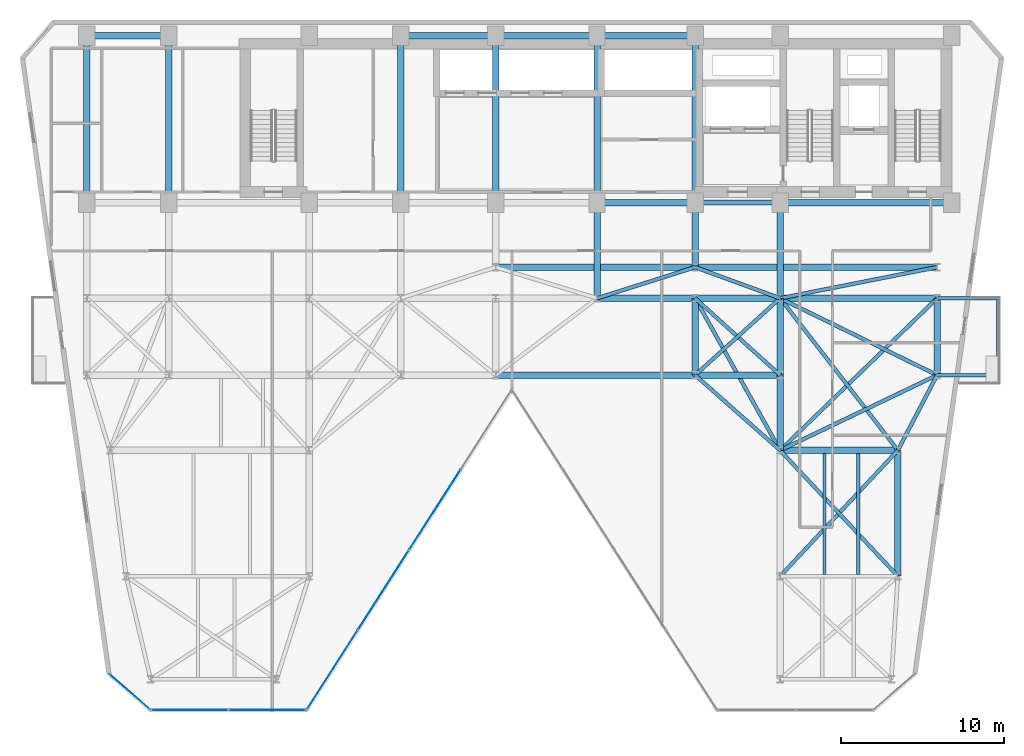
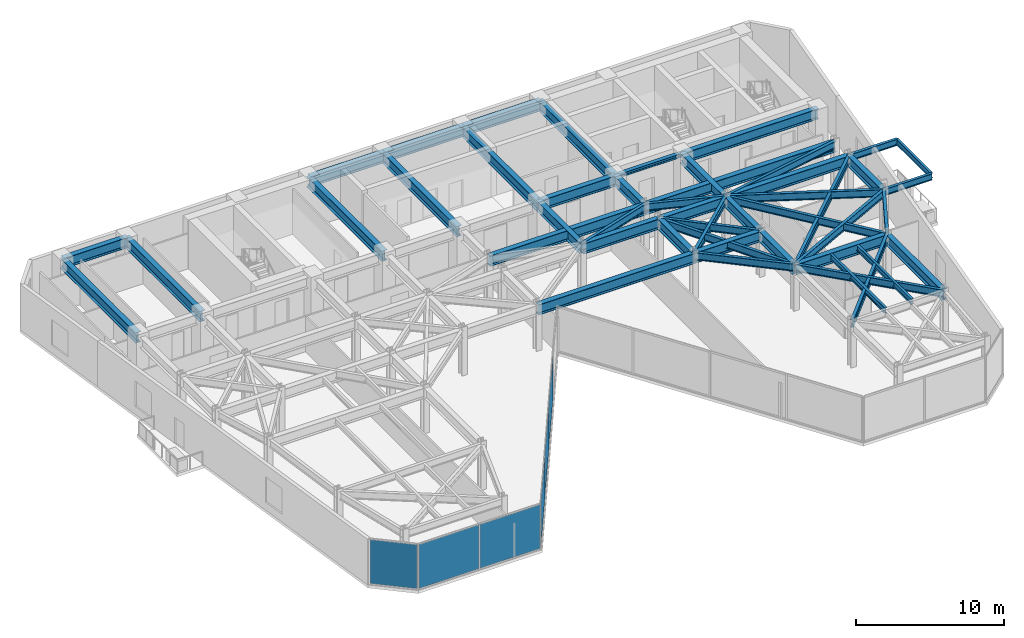
# One storey, part 14 of 20: 48 beams, 6 plates, 3 elements without a shape of their own.
"""IFC4 building model written with IfcOpenShell, lengths in metres."""

from ifc_helpers import new_model, si_unit, direction, frame, origin, origin_2d, place, context, subcontext, project, spatial, rectangle, i_section, extrude, material, layer, layer_set, material_profile, profile_set, type_object, element, aggregate, save


model = new_model("IFC4")

# Units and contexts
model_context = context("Model", 3, precision=1e-05, world=origin(), true_north=direction((0.0, 1.0)))
body_context = subcontext(model_context, "Body", "Model", "MODEL_VIEW")
ifc_project = project(units=[si_unit("LENGTHUNIT", "METRE"), si_unit("AREAUNIT", "SQUARE_METRE"), si_unit("VOLUMEUNIT", "CUBIC_METRE"), si_unit("PLANEANGLEUNIT", "RADIAN"), si_unit("MASSUNIT", "GRAM", prefix="KILO")], contexts=[model_context])

# Site, building, storey
site_placement = place(None, origin())
site = spatial("IfcSite", under=ifc_project, at=site_placement, CompositionType="ELEMENT")
building_placement = place(site_placement, origin())
building = spatial("IfcBuilding", under=site, at=building_placement, Name="Kravanh Interchange Tower", CompositionType="ELEMENT")
storey_placement = place(building_placement, frame((0.0, 0.0, 104.0)))
storey = spatial("IfcBuildingStorey", under=building, at=storey_placement, Name="L24", CompositionType="ELEMENT", Elevation=104.0)

# Beams
ifc_material_1 = material(Name="Structural Steel S355", Category="steel")
ifc_material_profile_1 = material_profile(ifc_material_1, i_section(OverallWidth=0.39990234375, OverallDepth=0.85595703125, WebThickness=0.018310546875, FlangeThickness=0.029296875, FilletRadius=0.02490234375, at=origin_2d()), Name="W33X201")
ifc_profile_set_1 = profile_set([ifc_material_profile_1], Name="Structural Steel S355")
beam_type_1 = type_object("IfcBeamType", Name="Floor Beam W33X201 Structural Steel S355", PredefinedType="BEAM", material=ifc_profile_set_1)
beam_1_placement = place(storey_placement, frame((66.5, 37.35009765625, 3.322021484375), z_axis=(-1.0, 0.0, 0.0), x_axis=(0.0, -1.0, 0.0)))
element("IfcBeam", 1, at=beam_1_placement, inside=storey, type_object=beam_type_1, Name="L24 Primary Floor Girder 5", PredefinedType="BEAM", context=body_context, shape_type="SweptSolid", body=[
    extrude(i_section(OverallWidth=0.39990234375, OverallDepth=0.85595703125, WebThickness=0.018310546875, FlangeThickness=0.029296875, FilletRadius=0.02490234375, at=origin_2d()), origin(), (0.0, 0.0, 1.0), 10.5),
])
beam_2_placement = place(storey_placement, frame((56.0, 37.35009765625, 3.322021484375), z_axis=(0.0, -1.0, 0.0), x_axis=(1.0, 0.0, 0.0)))
element("IfcBeam", 2, at=beam_2_placement, inside=storey, type_object=beam_type_1, Name="L24 Primary Floor Girder 7", PredefinedType="BEAM", context=body_context, shape_type="SweptSolid", body=[
    extrude(i_section(OverallWidth=0.39990234375, OverallDepth=0.85595703125, WebThickness=0.018310546875, FlangeThickness=0.029296875, FilletRadius=0.02490234375, at=origin_2d()), origin(), (0.0, 0.0, 1.0), 5.85009765625),
])
beam_3_placement = place(storey_placement, frame((50.800048828125, 47.550048828125, 3.322021484375), z_axis=(-1.0, 0.0, 0.0), x_axis=(0.0, -1.0, 0.0)))
element("IfcBeam", 3, at=beam_3_placement, inside=storey, type_object=beam_type_1, Name="L24 Primary Floor Girder 8", PredefinedType="BEAM", context=body_context, shape_type="SweptSolid", body=[
    extrude(i_section(OverallWidth=0.39990234375, OverallDepth=0.85595703125, WebThickness=0.018310546875, FlangeThickness=0.029296875, FilletRadius=0.02490234375, at=origin_2d()), origin(), (0.0, 0.0, 1.0), 6.0),
])
beam_4_placement = place(storey_placement, frame((50.800048828125, 47.550048828125, 3.322021484375), z_axis=(0.0, -1.0, 0.0), x_axis=(1.0, 0.0, 0.0)))
element("IfcBeam", 4, at=beam_4_placement, inside=storey, type_object=beam_type_1, Name="L24 Primary Floor Girder 9", PredefinedType="BEAM", context=body_context, shape_type="SweptSolid", body=[
    extrude(i_section(OverallWidth=0.39990234375, OverallDepth=0.85595703125, WebThickness=0.018310546875, FlangeThickness=0.029296875, FilletRadius=0.02490234375, at=origin_2d()), origin(), (0.0, 0.0, 1.0), 10.199951171875),
])
beam_5_placement = place(storey_placement, frame((50.800048828125, 37.35009765625, 3.322021484375), z_axis=(0.0, -1.0, 0.0), x_axis=(1.0, 0.0, 0.0)))
element("IfcBeam", 5, at=beam_5_placement, inside=storey, type_object=beam_type_1, Name="L24 Primary Floor Girder 10", PredefinedType="BEAM", context=body_context, shape_type="SweptSolid", body=[
    extrude(i_section(OverallWidth=0.39990234375, OverallDepth=0.85595703125, WebThickness=0.018310546875, FlangeThickness=0.029296875, FilletRadius=0.02490234375, at=origin_2d()), origin(), (0.0, 0.0, 1.0), 3.9501953125),
])
beam_6_placement = place(storey_placement, frame((50.800048828125, 37.35009765625, 3.322021484375), z_axis=(-1.0, 0.0, 0.0), x_axis=(0.0, -1.0, 0.0)))
element("IfcBeam", 6, at=beam_6_placement, inside=storey, type_object=beam_type_1, Name="L24 Primary Floor Girder 11", PredefinedType="BEAM", context=body_context, shape_type="SweptSolid", body=[
    extrude(i_section(OverallWidth=0.39990234375, OverallDepth=0.85595703125, WebThickness=0.018310546875, FlangeThickness=0.029296875, FilletRadius=0.02490234375, at=origin_2d()), origin(), (0.0, 0.0, 1.0), 6.0),
])
beam_7_placement = place(storey_placement, frame((44.800048828125, 37.35009765625, 3.322021484375), z_axis=(0.0, -1.0, 0.0), x_axis=(1.0, 0.0, 0.0)))
element("IfcBeam", 7, at=beam_7_placement, inside=storey, type_object=beam_type_1, Name="L24 Primary Floor Girder 12", PredefinedType="BEAM", context=body_context, shape_type="SweptSolid", body=[
    extrude(i_section(OverallWidth=0.39990234375, OverallDepth=0.85595703125, WebThickness=0.018310546875, FlangeThickness=0.029296875, FilletRadius=0.02490234375, at=origin_2d()), origin(), (0.0, 0.0, 1.0), 5.85009765625),
])
beam_8_placement = place(storey_placement, frame((44.800048828125, 37.35009765625, 3.322021484375), z_axis=(0.0, 1.0, 0.0), x_axis=(-1.0, 0.0, 0.0)))
element("IfcBeam", 8, at=beam_8_placement, inside=storey, type_object=beam_type_1, Name="L24 Primary Floor Girder 14", PredefinedType="BEAM", context=body_context, shape_type="SweptSolid", body=[
    extrude(i_section(OverallWidth=0.39990234375, OverallDepth=0.85595703125, WebThickness=0.018310546875, FlangeThickness=0.029296875, FilletRadius=0.02490234375, at=origin_2d()), origin(), (0.0, 0.0, 1.0), 10.199951171875),
])
beam_9_placement = place(storey_placement, frame((44.800048828125, 47.550048828125, 3.322021484375), z_axis=(-1.0, 0.0, 0.0), x_axis=(0.0, -1.0, 0.0)))
element("IfcBeam", 9, at=beam_9_placement, inside=storey, type_object=beam_type_1, Name="L24 Primary Floor Girder 15", PredefinedType="BEAM", context=body_context, shape_type="SweptSolid", body=[
    extrude(i_section(OverallWidth=0.39990234375, OverallDepth=0.85595703125, WebThickness=0.018310546875, FlangeThickness=0.029296875, FilletRadius=0.02490234375, at=origin_2d()), origin(), (0.0, 0.0, 1.0), 6.199951171875),
])
beam_10_placement = place(storey_placement, frame((38.60009765625, 37.35009765625, 3.322021484375), z_axis=(0.0, 1.0, 0.0), x_axis=(-1.0, 0.0, 0.0)))
element("IfcBeam", 10, at=beam_10_placement, inside=storey, type_object=beam_type_1, Name="L24 Primary Floor Girder 18", PredefinedType="BEAM", context=body_context, shape_type="SweptSolid", body=[
    extrude(i_section(OverallWidth=0.39990234375, OverallDepth=0.85595703125, WebThickness=0.018310546875, FlangeThickness=0.029296875, FilletRadius=0.02490234375, at=origin_2d()), origin(), (0.0, 0.0, 1.0), 10.199951171875),
])
beam_11_placement = place(storey_placement, frame((38.60009765625, 47.550048828125, 3.322021484375), z_axis=(-1.0, 0.0, 0.0), x_axis=(0.0, -1.0, 0.0)))
element("IfcBeam", 11, at=beam_11_placement, inside=storey, type_object=beam_type_1, Name="L24 Primary Floor Girder 19", PredefinedType="BEAM", context=body_context, shape_type="SweptSolid", body=[
    extrude(i_section(OverallWidth=0.39990234375, OverallDepth=0.85595703125, WebThickness=0.018310546875, FlangeThickness=0.029296875, FilletRadius=0.02490234375, at=origin_2d()), origin(), (0.0, 0.0, 1.0), 5.800048828125),
])
for number, where, z_axis, x_axis, name in (
    (12, (32.800048828125, 37.35009765625, 3.322021484375), (0.0, 1.0, 0.0), (-1.0, 0.0, 0.0), "L24 Primary Floor Girder 22"),
    (13, (18.60009765625, 37.35009765625, 3.322021484375), (0.0, 1.0, 0.0), (-1.0, 0.0, 0.0), "L24 Primary Floor Girder 30"),
):
    element("IfcBeam", number, at=place(storey_placement, frame(where, z_axis=z_axis, x_axis=x_axis)), inside=storey, type_object=beam_type_1, Name=name, PredefinedType="BEAM", context=body_context, shape_type="SweptSolid", body=[
        extrude(i_section(OverallWidth=0.39990234375, OverallDepth=0.85595703125, WebThickness=0.018310546875, FlangeThickness=0.029296875, FilletRadius=0.02490234375, at=origin_2d()), origin(), (0.0, 0.0, 1.0), 10.199951171875),
    ])
beam_12_placement = place(storey_placement, frame((18.60009765625, 47.550048828125, 3.322021484375), z_axis=(-1.0, 0.0, 0.0), x_axis=(0.0, -1.0, 0.0)))
element("IfcBeam", 14, at=beam_12_placement, inside=storey, type_object=beam_type_1, Name="L24 Primary Floor Girder 31", PredefinedType="BEAM", context=body_context, shape_type="SweptSolid", body=[
    extrude(i_section(OverallWidth=0.39990234375, OverallDepth=0.85595703125, WebThickness=0.018310546875, FlangeThickness=0.029296875, FilletRadius=0.02490234375, at=origin_2d()), origin(), (0.0, 0.0, 1.0), 5.0),
])
beam_13_placement = place(storey_placement, frame((13.60009765625, 37.35009765625, 3.322021484375), z_axis=(0.0, 1.0, 0.0), x_axis=(-1.0, 0.0, 0.0)))
element("IfcBeam", 15, at=beam_13_placement, inside=storey, type_object=beam_type_1, Name="L24 Primary Floor Girder 33", PredefinedType="BEAM", context=body_context, shape_type="SweptSolid", body=[
    extrude(i_section(OverallWidth=0.39990234375, OverallDepth=0.85595703125, WebThickness=0.018310546875, FlangeThickness=0.029296875, FilletRadius=0.02490234375, at=origin_2d()), origin(), (0.0, 0.0, 1.0), 10.199951171875),
])
beam_14_placement = place(storey_placement, frame((38.60009765625, 26.800048828125, 3.322021484375), z_axis=(1.0, 0.0, 0.0), x_axis=(0.0, 1.0, 0.0)))
element("IfcBeam", 16, at=beam_14_placement, inside=storey, type_object=beam_type_1, Name="L24 Primary Floor Girder 56", PredefinedType="BEAM", context=body_context, shape_type="SweptSolid", body=[
    extrude(i_section(OverallWidth=0.39990234375, OverallDepth=0.85595703125, WebThickness=0.018310546875, FlangeThickness=0.029296875, FilletRadius=0.02490234375, at=origin_2d()), origin(), (0.0, 0.0, 1.0), 12.199951171875),
])
beam_15_placement = place(storey_placement, frame((50.800048828125, 26.800048828125, 3.322021484375), z_axis=(0.0, 1.0, 0.0), x_axis=(-1.0, 0.0, 0.0)))
element("IfcBeam", 17, at=beam_15_placement, inside=storey, type_object=beam_type_1, Name="L24 Primary Floor Girder 57", PredefinedType="BEAM", context=body_context, shape_type="SweptSolid", body=[
    extrude(i_section(OverallWidth=0.39990234375, OverallDepth=0.85595703125, WebThickness=0.018310546875, FlangeThickness=0.029296875, FilletRadius=0.02490234375, at=origin_2d()), origin(), (0.0, 0.0, 1.0), 4.699951171875),
])
beam_16_placement = place(storey_placement, frame((50.800048828125, 26.800048828125, 3.322021484375), z_axis=(1.0, 0.0, 0.0), x_axis=(0.0, 1.0, 0.0)))
element("IfcBeam", 18, at=beam_16_placement, inside=storey, type_object=beam_type_1, Name="L24 Primary Floor Girder 58", PredefinedType="BEAM", context=body_context, shape_type="SweptSolid", body=[
    extrude(i_section(OverallWidth=0.39990234375, OverallDepth=0.85595703125, WebThickness=0.018310546875, FlangeThickness=0.029296875, FilletRadius=0.02490234375, at=origin_2d()), origin(), (0.0, 0.0, 1.0), 5.199951171875),
])
beam_17_placement = place(storey_placement, frame((56.0, 26.800048828125, 3.322021484375), z_axis=(0.0, -1.0, 0.0), x_axis=(1.0, 0.0, 0.0)))
element("IfcBeam", 19, at=beam_17_placement, inside=storey, type_object=beam_type_1, Name="L24 Primary Floor Girder 61", PredefinedType="BEAM", context=body_context, shape_type="SweptSolid", body=[
    extrude(i_section(OverallWidth=0.39990234375, OverallDepth=0.85595703125, WebThickness=0.018310546875, FlangeThickness=0.029296875, FilletRadius=0.02490234375, at=origin_2d()), origin(), (0.0, 0.0, 1.0), 4.60009765625),
])
for number, where, z_axis, x_axis, name in (
    (20, (56.0, 26.800048828125, 3.322021484375), (0.0, 1.0, 0.0), (-1.0, 0.0, 0.0), "L24 Primary Floor Girder 62"),
    (21, (65.60009765625, 26.800048828125, 3.322021484375), (0.0, 1.0, 0.0), (-1.0, 0.0, 0.0), "L24 Primary Floor Girder 65"),
):
    element("IfcBeam", number, at=place(storey_placement, frame(where, z_axis=z_axis, x_axis=x_axis)), inside=storey, type_object=beam_type_1, Name=name, PredefinedType="BEAM", context=body_context, shape_type="SweptSolid", body=[
        extrude(i_section(OverallWidth=0.39990234375, OverallDepth=0.85595703125, WebThickness=0.018310546875, FlangeThickness=0.029296875, FilletRadius=0.02490234375, at=origin_2d()), origin(), (0.0, 0.0, 1.0), 4.699951171875),
    ])
beam_18_placement = place(storey_placement, frame((44.800048828125, 31.5, 3.322021484375), z_axis=(1.0, 0.0, 0.0), x_axis=(0.0, 1.0, 0.0)))
element("IfcBeam", 22, at=beam_18_placement, inside=storey, type_object=beam_type_1, Name="L24 Primary Floor Girder 83", PredefinedType="BEAM", context=body_context, shape_type="SweptSolid", body=[
    extrude(i_section(OverallWidth=0.39990234375, OverallDepth=0.85595703125, WebThickness=0.018310546875, FlangeThickness=0.029296875, FilletRadius=0.02490234375, at=origin_2d()), origin(), (0.0, 0.0, 1.0), 6.0),
])
beam_19_placement = place(storey_placement, frame((50.800048828125, 31.5, 3.322021484375), z_axis=(1.0, 0.0, 0.0), x_axis=(0.0, 1.0, 0.0)))
element("IfcBeam", 23, at=beam_19_placement, inside=storey, type_object=beam_type_1, Name="L24 Primary Floor Girder 86", PredefinedType="BEAM", context=body_context, shape_type="SweptSolid", body=[
    extrude(i_section(OverallWidth=0.39990234375, OverallDepth=0.85595703125, WebThickness=0.018310546875, FlangeThickness=0.029296875, FilletRadius=0.02490234375, at=origin_2d()), origin(), (0.0, 0.0, 1.0), 5.199951171875),
])
beam_20_placement = place(storey_placement, frame((56.0, 31.5, 3.322021484375), z_axis=(1.0, 0.0, 0.0), x_axis=(0.0, 1.0, 0.0)))
element("IfcBeam", 24, at=beam_20_placement, inside=storey, type_object=beam_type_1, Name="L24 Primary Floor Girder 90", PredefinedType="BEAM", context=body_context, shape_type="SweptSolid", body=[
    extrude(i_section(OverallWidth=0.39990234375, OverallDepth=0.85595703125, WebThickness=0.018310546875, FlangeThickness=0.029296875, FilletRadius=0.02490234375, at=origin_2d()), origin(), (0.0, 0.0, 1.0), 9.60009765625),
])
beam_21_placement = place(storey_placement, frame((63.199951171875, 14.5, 3.322021484375), z_axis=(0.0, 1.0, 0.0), x_axis=(-1.0, 0.0, 0.0)))
element("IfcBeam", 25, at=beam_21_placement, inside=storey, type_object=beam_type_1, Name="L24 Primary Floor Girder 106", PredefinedType="BEAM", context=body_context, shape_type="SweptSolid", body=[
    extrude(i_section(OverallWidth=0.39990234375, OverallDepth=0.85595703125, WebThickness=0.018310546875, FlangeThickness=0.029296875, FilletRadius=0.02490234375, at=origin_2d()), origin(), (0.0, 0.0, 1.0), 7.699951171875),
])
beam_22_placement = place(storey_placement, frame((56.0, 22.199951171875, 3.322021484375), z_axis=(1.0, 0.0, 0.0), x_axis=(0.0, 1.0, 0.0)))
element("IfcBeam", 26, at=beam_22_placement, inside=storey, type_object=beam_type_1, Name="L24 Primary Floor Girder 109", PredefinedType="BEAM", context=body_context, shape_type="SweptSolid", body=[
    extrude(i_section(OverallWidth=0.39990234375, OverallDepth=0.85595703125, WebThickness=0.018310546875, FlangeThickness=0.029296875, FilletRadius=0.02490234375, at=origin_2d()), origin(), (0.0, 0.0, 1.0), 7.199951171875),
])
beam_23_placement = place(storey_placement, frame((38.60009765625, 33.39990234375, 3.322021484375), z_axis=(1.0, 0.0, 0.0), x_axis=(0.0, 1.0, 0.0)))
element("IfcBeam", 27, at=beam_23_placement, inside=storey, type_object=beam_type_1, Name="L24 Primary Floor Girder 111", PredefinedType="BEAM", context=body_context, shape_type="SweptSolid", body=[
    extrude(i_section(OverallWidth=0.39990234375, OverallDepth=0.85595703125, WebThickness=0.018310546875, FlangeThickness=0.029296875, FilletRadius=0.02490234375, at=origin_2d()), origin(), (0.0, 0.0, 1.0), 12.199951171875),
])
beam_24_placement = place(storey_placement, frame((50.800048828125, 33.39990234375, 3.322021484375), z_axis=(1.0, 0.0, 0.0), x_axis=(0.0, 1.0, 0.0)))
element("IfcBeam", 28, at=beam_24_placement, inside=storey, type_object=beam_type_1, Name="L24 Primary Floor Girder 112", PredefinedType="BEAM", context=body_context, shape_type="SweptSolid", body=[
    extrude(i_section(OverallWidth=0.39990234375, OverallDepth=0.85595703125, WebThickness=0.018310546875, FlangeThickness=0.029296875, FilletRadius=0.02490234375, at=origin_2d()), origin(), (0.0, 0.0, 1.0), 14.800048828125),
])
ifc_material_2 = material(Name="Structural Steel S355", Category="steel")
ifc_material_profile_2 = material_profile(ifc_material_2, i_section(OverallWidth=0.18994140625, OverallDepth=0.45703125, WebThickness=0.009033203125, FlangeThickness=0.014404296875, FilletRadius=0.01806640625, at=origin_2d()), Name="W18X50")
ifc_profile_set_2 = profile_set([ifc_material_profile_2], Name="Structural Steel S355")
beam_type_2 = type_object("IfcBeamType", Name="Floor Joist W18X50 Structural Steel S355", PredefinedType="JOIST", material=ifc_profile_set_2)
for number, where, z_axis, x_axis, name in (
    (29, (58.715087890625, 14.60888671875, 3.521484375), (0.0, 1.0, 0.0), (-1.0, 0.0, 0.0), "L24 Secondary Floor Joist 7"),
    (30, (60.780029296875, 14.60888671875, 3.521484375), (0.0, 1.0, 0.0), (-1.0, 0.0, 0.0), "L24 Secondary Floor Joist 8"),
):
    element("IfcBeam", number, at=place(storey_placement, frame(where, z_axis=z_axis, x_axis=x_axis)), inside=storey, type_object=beam_type_2, Name=name, PredefinedType="JOIST", context=body_context, shape_type="SweptSolid", body=[
        extrude(i_section(OverallWidth=0.18994140625, OverallDepth=0.45703125, WebThickness=0.009033203125, FlangeThickness=0.014404296875, FilletRadius=0.01806640625, at=origin_2d()), origin(), (0.0, 0.0, 1.0), 7.39599609375),
    ])
beam_25_placement = place(storey_placement, frame((69.324951171875, 26.800048828125, 3.521484375), z_axis=(0.0, 1.0, 0.0), x_axis=(-1.0, 0.0, 0.0)))
element("IfcBeam", 31, at=beam_25_placement, inside=storey, type_object=beam_type_2, Name="L24 Balcony Edge Tie Beam E", PredefinedType="JOIST", context=body_context, shape_type="SweptSolid", body=[
    extrude(i_section(OverallWidth=0.18994140625, OverallDepth=0.45703125, WebThickness=0.009033203125, FlangeThickness=0.014404296875, FilletRadius=0.01806640625, at=origin_2d()), origin(), (0.0, 0.0, 1.0), 4.699951171875),
])
ifc_material_3 = material(Name="Structural Steel S355", Category="steel")
ifc_material_profile_3 = material_profile(ifc_material_3, i_section(OverallWidth=0.304931640625, OverallDepth=0.306884765625, WebThickness=0.010009765625, FlangeThickness=0.015380859375, FilletRadius=0.014892578125, at=origin_2d()), Name="W12X65")
ifc_profile_set_3 = profile_set([ifc_material_profile_3], Name="Structural Steel S355")
beam_type_3 = type_object("IfcBeamType", Name="Floor Lintel W12X65 Structural Steel S355", PredefinedType="LINTEL", material=ifc_profile_set_3)
beam_26_placement = place(storey_placement, frame((50.800048828125, 37.35009765625, 3.596435546875), z_axis=(1.0, 0.0, 0.0), x_axis=(0.0, 1.0, 0.0)))
element("IfcBeam", 32, at=beam_26_placement, inside=storey, type_object=beam_type_3, Name="L24 Core Coupling Lintel 1", PredefinedType="LINTEL", context=body_context, shape_type="SweptSolid", body=[
    extrude(i_section(OverallWidth=0.304931640625, OverallDepth=0.306884765625, WebThickness=0.010009765625, FlangeThickness=0.015380859375, FilletRadius=0.014892578125, at=origin_2d()), origin(), (0.0, 0.0, 1.0), 5.199951171875),
])
ifc_material_4 = material(Name="Structural Steel S355", Category="steel")
ifc_material_profile_4 = material_profile(ifc_material_4, i_section(OverallWidth=0.2099609375, OverallDepth=0.537109375, WebThickness=0.010986328125, FlangeThickness=0.017333984375, FilletRadius=0.02001953125, at=origin_2d()), Name="W21X68")
ifc_profile_set_4 = profile_set([ifc_material_profile_4], Name="Structural Steel S355")
beam_type_4 = type_object("IfcBeamType", Name="Floor Spandrel W21X68 Structural Steel S355", PredefinedType="SPANDREL", material=ifc_profile_set_4)
for number, where, z_axis, x_axis, name in (
    (33, (65.60009765625, 26.800048828125, 3.4814453125), (1.0, 0.0, 0.0), (0.0, 1.0, 0.0), "L24 Balcony Cantilever Outrigger E1"),
    (34, (65.60009765625, 31.5, 3.4814453125), (1.0, 0.0, 0.0), (0.0, 1.0, 0.0), "L24 Balcony Cantilever Outrigger E2"),
):
    element("IfcBeam", number, at=place(storey_placement, frame(where, z_axis=z_axis, x_axis=x_axis)), inside=storey, type_object=beam_type_4, Name=name, PredefinedType="SPANDREL", context=body_context, shape_type="SweptSolid", body=[
        extrude(i_section(OverallWidth=0.2099609375, OverallDepth=0.537109375, WebThickness=0.010986328125, FlangeThickness=0.017333984375, FilletRadius=0.02001953125, at=origin_2d()), origin(), (0.0, 0.0, 1.0), 3.724853515625),
    ])
ifc_material_5 = material(Name="Structural Steel S355", Category="steel")
ifc_material_profile_5 = material_profile(ifc_material_5, i_section(OverallWidth=0.22802734375, OverallDepth=0.60791015625, WebThickness=0.01123046875, FlangeThickness=0.017333984375, FilletRadius=0.02197265625, at=origin_2d()), Name="W24X76")
ifc_profile_set_5 = profile_set([ifc_material_profile_5], Name="Structural Steel S355")
beam_type_5 = type_object("IfcBeamType", Name="Floor Spandrel W24X76 Structural Steel S355", PredefinedType="SPANDREL", material=ifc_profile_set_5)
beam_27_placement = place(storey_placement, frame((50.800048828125, 26.800048828125, 3.446044921875), z_axis=(0.74898649432, -0.662585263439, 0.0), x_axis=(0.662585263439, 0.74898649432, 0.0)))
element("IfcBeam", 35, at=beam_27_placement, inside=storey, type_object=beam_type_5, Name="L24 Perimeter Spandrel 59", PredefinedType="SPANDREL", context=body_context, shape_type="SweptSolid", body=[
    extrude(i_section(OverallWidth=0.22802734375, OverallDepth=0.60791015625, WebThickness=0.01123046875, FlangeThickness=0.017333984375, FilletRadius=0.02197265625, at=origin_2d()), origin(), (0.0, 0.0, 1.0), 6.942626953125),
])
for number, where, z_axis, x_axis, name in (
    (36, (50.800048828125, 26.800048828125, 3.446044921875), (0.741874009795, 0.670539300557, 0.0), (-0.670539300557, 0.741874009795, 0.0), "L24 Perimeter Spandrel 60"),
    (37, (56.0, 26.800048828125, 3.446044921875), (-0.741874009795, 0.670539300557, 0.0), (-0.670539300557, -0.741874009795, 0.0), "L24 Perimeter Spandrel 63"),
):
    element("IfcBeam", number, at=place(storey_placement, frame(where, z_axis=z_axis, x_axis=x_axis)), inside=storey, type_object=beam_type_5, Name=name, PredefinedType="SPANDREL", context=body_context, shape_type="SweptSolid", body=[
        extrude(i_section(OverallWidth=0.22802734375, OverallDepth=0.60791015625, WebThickness=0.01123046875, FlangeThickness=0.017333984375, FilletRadius=0.02197265625, at=origin_2d()), origin(), (0.0, 0.0, 1.0), 7.00927734375),
    ])
beam_28_placement = place(storey_placement, frame((65.60009765625, 26.800048828125, 3.446044921875), z_axis=(-0.462580479178, -0.886577295155, 0.0), x_axis=(0.886577295155, -0.462580479178, 0.0)))
element("IfcBeam", 38, at=beam_28_placement, inside=storey, type_object=beam_type_5, Name="L24 Perimeter Spandrel 66", PredefinedType="SPANDREL", context=body_context, shape_type="SweptSolid", body=[
    extrude(i_section(OverallWidth=0.22802734375, OverallDepth=0.60791015625, WebThickness=0.01123046875, FlangeThickness=0.017333984375, FilletRadius=0.02197265625, at=origin_2d()), origin(), (0.0, 0.0, 1.0), 5.188720703125),
])
beam_29_placement = place(storey_placement, frame((65.60009765625, 26.800048828125, 3.446044921875), z_axis=(-0.901814166789, -0.432124066188, 0.0), x_axis=(0.432124066188, -0.901814166789, 0.0)))
element("IfcBeam", 39, at=beam_29_placement, inside=storey, type_object=beam_type_5, Name="L24 Perimeter Spandrel 67", PredefinedType="SPANDREL", context=body_context, shape_type="SweptSolid", body=[
    extrude(i_section(OverallWidth=0.22802734375, OverallDepth=0.60791015625, WebThickness=0.01123046875, FlangeThickness=0.017333984375, FilletRadius=0.02197265625, at=origin_2d()), origin(), (0.0, 0.0, 1.0), 10.645263671875),
])
beam_30_placement = place(storey_placement, frame((65.60009765625, 26.800048828125, 3.446044921875), z_axis=(-0.898141688387, 0.439706160499, 0.0), x_axis=(-0.439706160499, -0.898141688387, 0.0)))
element("IfcBeam", 40, at=beam_30_placement, inside=storey, type_object=beam_type_5, Name="L24 Perimeter Spandrel 68", PredefinedType="SPANDREL", context=body_context, shape_type="SweptSolid", body=[
    extrude(i_section(OverallWidth=0.22802734375, OverallDepth=0.60791015625, WebThickness=0.01123046875, FlangeThickness=0.017333984375, FilletRadius=0.02197265625, at=origin_2d()), origin(), (0.0, 0.0, 1.0), 10.68896484375),
])
beam_31_placement = place(storey_placement, frame((44.800048828125, 31.5, 3.446044921875), z_axis=(0.953346691051, 0.301877602122, 0.0), x_axis=(-0.301877602122, 0.953346691051, 0.0)))
element("IfcBeam", 41, at=beam_31_placement, inside=storey, type_object=beam_type_5, Name="L24 Perimeter Spandrel 84", PredefinedType="SPANDREL", context=body_context, shape_type="SweptSolid", body=[
    extrude(i_section(OverallWidth=0.22802734375, OverallDepth=0.60791015625, WebThickness=0.01123046875, FlangeThickness=0.017333984375, FilletRadius=0.02197265625, at=origin_2d()), origin(), (0.0, 0.0, 1.0), 6.293701171875),
])
beam_32_placement = place(storey_placement, frame((50.800048828125, 31.5, 3.446044921875), z_axis=(0.488026248114, -0.872828952975, 0.0), x_axis=(0.872828952975, 0.488026248114, 0.0)))
element("IfcBeam", 42, at=beam_32_placement, inside=storey, type_object=beam_type_5, Name="L24 Perimeter Spandrel 87", PredefinedType="SPANDREL", context=body_context, shape_type="SweptSolid", body=[
    extrude(i_section(OverallWidth=0.22802734375, OverallDepth=0.60791015625, WebThickness=0.01123046875, FlangeThickness=0.017333984375, FilletRadius=0.02197265625, at=origin_2d()), origin(), (0.0, 0.0, 1.0), 10.655029296875),
])
beam_33_placement = place(storey_placement, frame((56.0, 31.5, 3.446044921875), z_axis=(-0.93926957103, 0.343180233896, 0.0), x_axis=(-0.343180233896, -0.93926957103, 0.0)))
element("IfcBeam", 43, at=beam_33_placement, inside=storey, type_object=beam_type_5, Name="L24 Perimeter Spandrel 89", PredefinedType="SPANDREL", context=body_context, shape_type="SweptSolid", body=[
    extrude(i_section(OverallWidth=0.22802734375, OverallDepth=0.60791015625, WebThickness=0.01123046875, FlangeThickness=0.017333984375, FilletRadius=0.02197265625, at=origin_2d()), origin(), (0.0, 0.0, 1.0), 5.5361328125),
])
beam_34_placement = place(storey_placement, frame((56.0, 31.5, 3.446044921875), z_axis=(0.980974000807, 0.194139150457, 0.0), x_axis=(-0.194139150457, 0.980974000807, 0.0)))
element("IfcBeam", 44, at=beam_34_placement, inside=storey, type_object=beam_type_5, Name="L24 Perimeter Spandrel 91", PredefinedType="SPANDREL", context=body_context, shape_type="SweptSolid", body=[
    extrude(i_section(OverallWidth=0.22802734375, OverallDepth=0.60791015625, WebThickness=0.01123046875, FlangeThickness=0.017333984375, FilletRadius=0.02197265625, at=origin_2d()), origin(), (0.0, 0.0, 1.0), 9.786376953125),
])
beam_35_placement = place(storey_placement, frame((56.0, 31.5, 3.446044921875), z_axis=(0.612168587637, -0.790727273028, 0.0), x_axis=(0.790727273028, 0.612168587637, 0.0)))
element("IfcBeam", 45, at=beam_35_placement, inside=storey, type_object=beam_type_5, Name="L24 Perimeter Spandrel 92", PredefinedType="SPANDREL", context=body_context, shape_type="SweptSolid", body=[
    extrude(i_section(OverallWidth=0.22802734375, OverallDepth=0.60791015625, WebThickness=0.01123046875, FlangeThickness=0.017333984375, FilletRadius=0.02197265625, at=origin_2d()), origin(), (0.0, 0.0, 1.0), 11.761474609375),
])
beam_36_placement = place(storey_placement, frame((65.60009765625, 31.5, 3.446044921875), z_axis=(-0.718241934329, -0.695793449072, 0.0), x_axis=(0.695793449072, -0.718241934329, 0.0)))
element("IfcBeam", 46, at=beam_36_placement, inside=storey, type_object=beam_type_5, Name="L24 Perimeter Spandrel 94", PredefinedType="SPANDREL", context=body_context, shape_type="SweptSolid", body=[
    extrude(i_section(OverallWidth=0.22802734375, OverallDepth=0.60791015625, WebThickness=0.01123046875, FlangeThickness=0.017333984375, FilletRadius=0.02197265625, at=origin_2d()), origin(), (0.0, 0.0, 1.0), 13.3662109375),
])
for number, where, z_axis, x_axis, name in (
    (47, (56.0, 14.5, 3.446044921875), (0.682993762113, 0.73042420614, 0.0), (-0.73042420614, 0.682993762113, 0.0), "L24 Perimeter Spandrel 105"),
    (48, (63.199951171875, 14.5, 3.446044921875), (-0.682993762113, 0.73042420614, 0.0), (-0.73042420614, -0.682993762113, 0.0), "L24 Perimeter Spandrel 107"),
):
    element("IfcBeam", number, at=place(storey_placement, frame(where, z_axis=z_axis, x_axis=x_axis)), inside=storey, type_object=beam_type_5, Name=name, PredefinedType="SPANDREL", context=body_context, shape_type="SweptSolid", body=[
        extrude(i_section(OverallWidth=0.22802734375, OverallDepth=0.60791015625, WebThickness=0.01123046875, FlangeThickness=0.017333984375, FilletRadius=0.02197265625, at=origin_2d()), origin(), (0.0, 0.0, 1.0), 10.541748046875),
    ])

# Curtain wall, plates
ifc_material_6 = material(Name="Anodised Bronze Aluminium", Category="aluminium")
ifc_layer_1 = layer(ifc_material_6, 0.179931640625)
ifc_layer_set_1 = layer_set([ifc_layer_1], Name="Unitised Curtain Wall System CW-Z2 Mid Office")
curtain_wall_type = type_object("IfcCurtainWallType", Name="Unitised Curtain Wall System CW-Z2 Mid Office", PredefinedType="NOTDEFINED", material=ifc_layer_set_1)
curtain_wall_1_placement = place(storey_placement, origin())
curtain_wall_1 = element("IfcCurtainWall", 49, at=curtain_wall_1_placement, inside=storey, type_object=curtain_wall_type, Name="L24 Unitised Curtain Wall CW-L24-04", PredefinedType="NOTDEFINED")
ifc_material_7 = material(Name="Low-E Laminated Architectural Glass", Category="glass")
ifc_layer_2 = layer(ifc_material_7, 0.02587890625)
ifc_layer_set_2 = layer_set([ifc_layer_2], Name="Solar-Control Double Glazing 26mm")
plate_type = type_object("IfcPlateType", Name="Solar-Control Double Glazing 26mm", PredefinedType="CURTAIN_PANEL", material=ifc_layer_set_2)
plate_1_placement = place(storey_placement, frame((34.887939453125, 18.571533203125, 0.06005859375), z_axis=(0.0, 0.0, 1.0), x_axis=(-0.539664865919, -0.841879939476, 0.0)))
plate_1 = element("IfcPlate", 50, at=plate_1_placement, type_object=plate_type, Name="CW-Z2 panel 2.1", PredefinedType="CURTAIN_PANEL", context=body_context, shape_type="SweptSolid", body=[
    extrude(rectangle(XDim=5.760986328125, YDim=0.02587890625, at=origin_2d()), origin(), (0.0, 0.0, 1.0), 3.6298828125),
])
plate_2_placement = place(storey_placement, frame((31.74658203125, 13.6708984375, 0.06005859375), z_axis=(0.0, 0.0, 1.0), x_axis=(-0.539664865919, -0.841879939476, 0.0)))
plate_2 = element("IfcPlate", 51, at=plate_2_placement, type_object=plate_type, Name="CW-Z2 panel 3.1", PredefinedType="CURTAIN_PANEL", context=body_context, shape_type="SweptSolid", body=[
    extrude(rectangle(XDim=5.760986328125, YDim=0.02587890625, at=origin_2d()), origin(), (0.0, 0.0, 1.0), 3.6298828125),
])
plate_3_placement = place(storey_placement, frame((28.61328125, 8.782958984375, 0.06005859375), z_axis=(0.0, 0.0, 1.0), x_axis=(-0.539664865919, -0.841879939476, 0.0)))
plate_3 = element("IfcPlate", 52, at=plate_3_placement, type_object=plate_type, Name="CW-Z2 panel 4.1", PredefinedType="CURTAIN_PANEL", context=body_context, shape_type="SweptSolid", body=[
    extrude(rectangle(XDim=5.73095703125, YDim=0.02587890625, at=origin_2d()), origin(), (0.0, 0.0, 1.0), 3.6298828125),
])
aggregate(curtain_wall_1, [plate_1, plate_2, plate_3])

curtain_wall_2_placement = place(storey_placement, origin())
curtain_wall_2 = element("IfcCurtainWall", 53, at=curtain_wall_2_placement, inside=storey, type_object=curtain_wall_type, Name="L24 Unitised Curtain Wall CW-L24-05", PredefinedType="NOTDEFINED")
plate_4_placement = place(storey_placement, frame((24.63330078125, 6.320068359375, 0.06005859375), z_axis=(0.0, 0.0, 1.0), x_axis=(-1.0, 0.0, 0.0)))
plate_4 = element("IfcPlate", 54, at=plate_4_placement, type_object=plate_type, Name="CW-Z2 panel 1.1", PredefinedType="CURTAIN_PANEL", context=body_context, shape_type="SweptSolid", body=[
    extrude(rectangle(XDim=4.682373046875, YDim=0.02587890625, at=origin_2d()), origin(), (0.0, 0.0, 1.0), 3.6298828125),
])
plate_5_placement = place(storey_placement, frame((19.890869140625, 6.320068359375, 0.06005859375), z_axis=(0.0, 0.0, 1.0), x_axis=(-1.0, 0.0, 0.0)))
plate_5 = element("IfcPlate", 55, at=plate_5_placement, type_object=plate_type, Name="CW-Z2 panel 2.1", PredefinedType="CURTAIN_PANEL", context=body_context, shape_type="SweptSolid", body=[
    extrude(rectangle(XDim=4.682373046875, YDim=0.02587890625, at=origin_2d()), origin(), (0.0, 0.0, 1.0), 3.6298828125),
])
aggregate(curtain_wall_2, [plate_4, plate_5])

# Curtain wall, plate
curtain_wall_3_placement = place(storey_placement, origin())
curtain_wall_3 = element("IfcCurtainWall", 56, at=curtain_wall_3_placement, inside=storey, type_object=curtain_wall_type, Name="L24 Unitised Curtain Wall CW-L24-06", PredefinedType="NOTDEFINED")
plate_6_placement = place(storey_placement, frame((16.213623046875, 7.429443359375, 0.06005859375), z_axis=(0.0, 0.0, 1.0), x_axis=(-0.754719458103, 0.656047665617, 0.0)))
plate_6 = element("IfcPlate", 57, at=plate_6_placement, type_object=plate_type, Name="CW-Z2 panel 1.1", PredefinedType="CURTAIN_PANEL", context=body_context, shape_type="SweptSolid", body=[
    extrude(rectangle(XDim=3.261962890625, YDim=0.02587890625, at=origin_2d()), origin(), (0.0, 0.0, 1.0), 3.6298828125),
])
aggregate(curtain_wall_3, [plate_6])

save(model, "model.ifc")
